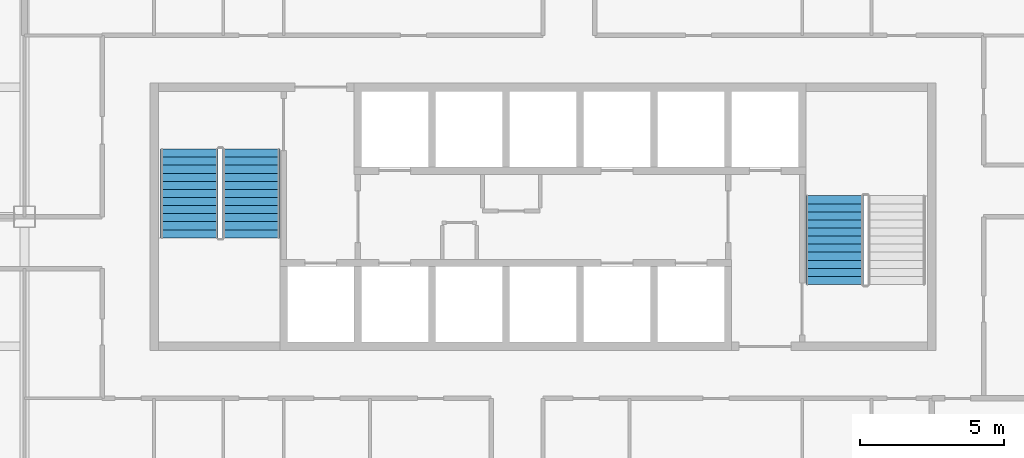
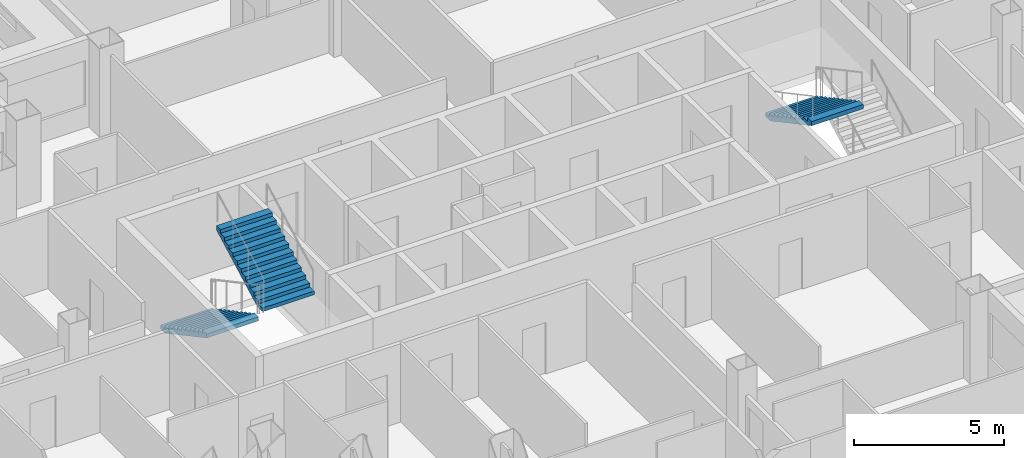
# One storey, part 11 of 15: 3 stair flights, 2 elements without a shape of their own.
"""IFC4 building model written with IfcOpenShell, lengths in metres."""

import ifcopenshell
import ifcopenshell.guid

model = None  # the IFC model being written
_history = None  # IfcOwnerHistory: only IFC2X3 demands one
_inside = {}  # id of a spatial element -> (the spatial element, [elements in it])
_under = {}  # id of a project, library or spatial element -> (it, [spatial elements below it])
_declared = {}  # id of a project -> (the project, [libraries it declares])
_typed = {}  # id of a type object -> (the type object, [elements of that type])
_made_of = {}  # id of a material, layer set ... -> (it, [elements and type objects made of it])


def new_model(schema):
    """Start an empty IFC model of exactly this schema.

    Asked for "IFC4X3", IfcOpenShell would pick the latest addendum, in which some entities
    have other attributes; the version numbers below select the first issue.
    IFC2X3 requires an IfcOwnerHistory on every rooted entity: one is made here for all.
    """
    global model, _history
    if schema == "IFC4X3":
        model = ifcopenshell.file(schema_version=(4, 3, 0, 0))
    else:
        model = ifcopenshell.file(schema=schema)
    _inside.clear()
    _under.clear()
    _declared.clear()
    _typed.clear()
    _made_of.clear()
    _history = None
    if model.schema == "IFC2X3":
        org = make("IfcOrganization", Name="unknown")
        user = make(
            "IfcPersonAndOrganization",
            ThePerson=make("IfcPerson", FamilyName="unknown"),
            TheOrganization=org,
        )
        app = make(
            "IfcApplication",
            ApplicationDeveloper=org,
            Version="unknown",
            ApplicationFullName="unknown",
            ApplicationIdentifier="unknown",
        )
        _history = make(
            "IfcOwnerHistory",
            OwningUser=user,
            OwningApplication=app,
            ChangeAction="ADDED",
            CreationDate=0,
        )
    return model


def make(cls, **values):
    """One entity of the class cls with the attributes given. An attribute that is None is left unset."""
    return model.create_entity(
        cls, **{name: value for name, value in values.items() if value is not None}
    )


def rooted(cls, **values):
    """An entity with a GlobalId (a new one), such as an element, a storey or a relation."""
    return make(cls, GlobalId=ifcopenshell.guid.new(), OwnerHistory=_history, **values)


def si_unit(unit_type, name, prefix=None):
    """IfcSIUnit, for example si_unit("LENGTHUNIT", "METRE", prefix="MILLI")."""
    return make("IfcSIUnit", UnitType=unit_type, Prefix=prefix, Name=name)


def assignment(units):
    """IfcUnitAssignment: the units of a project."""
    return None if units is None else make("IfcUnitAssignment", Units=units)


def point(xyz):
    """IfcCartesianPoint."""
    return None if xyz is None else make("IfcCartesianPoint", Coordinates=xyz)


def direction(xyz):
    """IfcDirection."""
    return None if xyz is None else make("IfcDirection", DirectionRatios=xyz)


def frame(location, z_axis=None, x_axis=None):
    """IfcAxis2Placement3D, a coordinate frame: its origin and axes. An axis left out is left unset."""
    return make(
        "IfcAxis2Placement3D",
        Location=point(location),
        Axis=direction(z_axis),
        RefDirection=direction(x_axis),
    )


def origin():
    """The frame at (0, 0, 0) with its axes left unset."""
    return frame((0.0, 0.0, 0.0))


def place(relative_to, where):
    """IfcLocalPlacement: puts the frame where relative to a parent placement (None: the world)."""
    return make(
        "IfcLocalPlacement", PlacementRelTo=relative_to, RelativePlacement=where
    )


def context(
    kind, dimensions, precision=None, world=None, true_north=None, identifier=None
):
    """IfcGeometricRepresentationContext, for example the 3D "Model" context."""
    return make(
        "IfcGeometricRepresentationContext",
        ContextIdentifier=identifier,
        ContextType=kind,
        CoordinateSpaceDimension=dimensions,
        Precision=precision,
        WorldCoordinateSystem=world,
        TrueNorth=true_north,
    )


def subcontext(parent, identifier, kind, view, scale=None):
    """IfcGeometricRepresentationSubContext, for example "Body" below "Model"."""
    return make(
        "IfcGeometricRepresentationSubContext",
        ContextIdentifier=identifier,
        ContextType=kind,
        ParentContext=parent,
        TargetScale=scale,
        TargetView=view,
    )


def project(units=None, contexts=None):
    """IfcProject with its units and contexts."""
    return rooted(
        "IfcProject",
        Name="project",
        RepresentationContexts=contexts,
        UnitsInContext=assignment(units),
    )


def spatial(cls, under=None, at=None, **own):
    """A site, building, storey or space (cls), placed at a placement, below another one or the project."""
    s = rooted(cls, ObjectPlacement=at, **own)
    if under is not None:
        _under.setdefault(under.id(), (under, []))[1].append(s)
    return s


def point_list(points):
    """IfcCartesianPointList2D or 3D."""
    cls = (
        "IfcCartesianPointList2D" if len(points[0]) == 2 else "IfcCartesianPointList3D"
    )
    return make(cls, CoordList=points)


def polygons(points, faces, closed=None, point_numbers=None):
    """IfcPolygonalFaceSet: a face is its outer loop, then its inner loops; points numbered from 1."""
    made = []
    for loops in faces:
        if len(loops) == 1:
            made.append(make("IfcIndexedPolygonalFace", CoordIndex=loops[0]))
        else:
            made.append(
                make(
                    "IfcIndexedPolygonalFaceWithVoids",
                    CoordIndex=loops[0],
                    InnerCoordIndices=loops[1:],
                )
            )
    return make(
        "IfcPolygonalFaceSet",
        Coordinates=point_list(points),
        Closed=closed,
        Faces=made,
        PnIndex=point_numbers,
    )


def shape(context_of_items, identifier, shape_type, items):
    """IfcShapeRepresentation: the items that make up one representation, for example the "Body"."""
    return make(
        "IfcShapeRepresentation",
        ContextOfItems=context_of_items,
        RepresentationIdentifier=identifier,
        RepresentationType=shape_type,
        Items=items,
    )


def material(Name=None, Category=None):
    """IfcMaterial."""
    return make("IfcMaterial", Name=Name, Category=Category)


def made_of(thing, what):
    """Note that an element or type object is made of a material, layer set ...; save() writes the relation."""
    if what is not None:
        _made_of.setdefault(what.id(), (what, []))[1].append(thing)
    return thing


def type_object(cls, material=None, **own):
    """A type object (cls), such as IfcWallType, which elements share."""
    return made_of(rooted(cls, **own), material)


def element(
    cls,
    number,
    at=None,
    inside=None,
    cuts=None,
    type_object=None,
    material=None,
    context=None,
    identifier="Body",
    shape_type=None,
    held_by="IfcProductDefinitionShape",
    body=None,
    shapes=None,
    **own,
):
    """One element of the class cls, such as IfcWall. Its Tag is "e" and its number.

    at: its placement. inside: the storey or other place that contains it. cuts: it is an
    opening in that element (IfcRelVoidsElement). A single representation is given by context,
    identifier, shape_type and body (its items); several are given by shapes. held_by: the class
    of the entity that holds the representations. save() writes the other relations.
    """
    e = rooted(cls, Tag="e%d" % number, ObjectPlacement=at, **own)
    if body is not None:
        shapes = [shape(context, identifier, shape_type, body)]
    if shapes is not None:
        e.Representation = make(held_by, Representations=shapes)
    if inside is not None:
        _inside.setdefault(inside.id(), (inside, []))[1].append(e)
    if cuts is not None:
        rooted(
            "IfcRelVoidsElement", RelatingBuildingElement=cuts, RelatedOpeningElement=e
        )
    if type_object is not None:
        _typed.setdefault(type_object.id(), (type_object, []))[1].append(e)
    return made_of(e, material)


def aggregate(whole, parts):
    """IfcRelAggregates: a whole, such as a stair, and the parts it consists of."""
    return rooted("IfcRelAggregates", RelatingObject=whole, RelatedObjects=parts)


def save(model, path):
    """Write the relations noted so far, then the file.

    IfcRelAggregates (storeys below a building ...), IfcRelContainedInSpatialStructure (elements
    in a storey), IfcRelDefinesByType, IfcRelAssociatesMaterial and IfcRelDeclares: one each for
    every whole, place, type object, material and project.
    """
    for whole, parts in _under.values():
        aggregate(whole, parts)
    for where, things in _inside.values():
        rooted(
            "IfcRelContainedInSpatialStructure",
            RelatedElements=things,
            RelatingStructure=where,
        )
    for kind, things in _typed.values():
        rooted("IfcRelDefinesByType", RelatedObjects=things, RelatingType=kind)
    for what, things in _made_of.values():
        rooted("IfcRelAssociatesMaterial", RelatedObjects=things, RelatingMaterial=what)
    for by, libraries in _declared.values():
        rooted("IfcRelDeclares", RelatingContext=by, RelatedDefinitions=libraries)
    model.write(path)


model = new_model("IFC4")

# Units and contexts
model_context = context("Model", 3, precision=1e-05, world=origin(), true_north=direction((0.0, 1.0)))
body_context = subcontext(model_context, "Body", "Model", "MODEL_VIEW")
ifc_project = project(units=[si_unit("LENGTHUNIT", "METRE"), si_unit("AREAUNIT", "SQUARE_METRE"), si_unit("VOLUMEUNIT", "CUBIC_METRE"), si_unit("PLANEANGLEUNIT", "RADIAN"), si_unit("MASSUNIT", "GRAM", prefix="KILO")], contexts=[model_context])

# Site, building, storey
site_placement = place(None, origin())
site = spatial("IfcSite", under=ifc_project, at=site_placement, CompositionType="ELEMENT")
building_placement = place(site_placement, origin())
building = spatial("IfcBuilding", under=site, at=building_placement, Name="Caravel Reach Hotel and Residences", CompositionType="ELEMENT")
storey_placement = place(building_placement, frame((0.0, 0.0, 92.39990234375)))
storey = spatial("IfcBuildingStorey", under=building, at=storey_placement, Name="L22", CompositionType="ELEMENT", Elevation=92.39990234375)

# Stair, stair flights
ifc_material_1 = material(Name="Concrete C40", Category="concrete")
stair_type = type_object("IfcStairType", Name="Core stair", PredefinedType="HALF_TURN_STAIR", material=ifc_material_1)
stair_1_placement = place(storey_placement, origin())
stair_1 = element("IfcStair", 1, at=stair_1_placement, inside=storey, type_object=stair_type, Name="L22 Exit stair A", PredefinedType="HALF_TURN_STAIR")
ifc_material_2 = material(Name="Concrete C40", Category="concrete")
stair_flight_type = type_object("IfcStairFlightType", Name="Core stair flight", PredefinedType="STRAIGHT", material=ifc_material_2)
stair_flight_1_placement = place(storey_placement, frame((19.22509765625, 29.35009765625, 0.0), z_axis=(0.0, 0.0, 1.0), x_axis=(0.0, -1.0, 0.0)))
stair_flight_1 = element("IfcStairFlight", 2, at=stair_flight_1_placement, type_object=stair_flight_type, Name="ST-A flight 1", NumberOfRisers=12, NumberOfTreads=11, PredefinedType="STRAIGHT", RiserHeight=0.15, TreadLength=0.28, context=body_context, shape_type="Tessellation", body=[
    polygons([(0.3174408016601862, 1.0, 0.0), (0.3174408016601862, 0.6666666666666667, 0.0), (0.3174408016601862, 0.33333333333333337, 0.0), (0.3174408016601862, 0.0, 0.0), (0.3174408016601862, -0.33333333333333326, 0.0), (0.3174408016601862, -0.6666666666666667, 0.0), (0.3174408016601862, -1.0, 0.0), (3.081, 1.0, 1.479942427682043), (3.081, 0.6666666666666667, 1.479942427682043), (3.081, 0.33333333333333337, 1.479942427682043), (3.081, 0.0, 1.479942427682043), (3.081, -0.33333333333333326, 1.479942427682043), (3.081, -0.6666666666666667, 1.479942427682043), (3.081, -1.0, 1.479942427682043), (3.081, 1.0, 1.65), (3.081, 0.6666666666666667, 1.65), (3.081, 0.33333333333333337, 1.65), (3.081, 0.0, 1.65), (3.081, -0.33333333333333326, 1.65), (3.081, -0.6666666666666667, 1.65), (3.081, -1.0, 1.65), (2.8000000000000003, 1.0, 1.65), (2.8000000000000003, 0.6666666666666667, 1.65), (2.8000000000000003, 0.33333333333333337, 1.65), (2.8000000000000003, 0.0, 1.65), (2.8000000000000003, -0.33333333333333326, 1.65), (2.8000000000000003, -0.6666666666666667, 1.65), (2.8000000000000003, -1.0, 1.65), (2.8000000000000003, 1.0, 1.5), (2.8000000000000003, 0.6666666666666667, 1.5), (2.8000000000000003, 0.33333333333333337, 1.5), (2.8000000000000003, 0.0, 1.5), (2.8000000000000003, -0.33333333333333326, 1.5), (2.8000000000000003, -0.6666666666666667, 1.5), (2.8000000000000003, -1.0, 1.5), (2.5200000000000005, 1.0, 1.5), (2.5200000000000005, 0.6666666666666667, 1.5), (2.5200000000000005, 0.33333333333333337, 1.5), (2.5200000000000005, 0.0, 1.5), (2.5200000000000005, -0.33333333333333326, 1.5), (2.5200000000000005, -0.6666666666666667, 1.5), (2.5200000000000005, -1.0, 1.5), (2.5200000000000005, 1.0, 1.3499999999999999), (2.5200000000000005, 0.6666666666666667, 1.3499999999999999), (2.5200000000000005, 0.33333333333333337, 1.3499999999999999), (2.5200000000000005, 0.0, 1.3499999999999999), (2.5200000000000005, -0.33333333333333326, 1.3499999999999999), (2.5200000000000005, -0.6666666666666667, 1.3499999999999999), (2.5200000000000005, -1.0, 1.3499999999999999), (2.24, 1.0, 1.3499999999999999), (2.24, 0.6666666666666667, 1.3499999999999999), (2.24, 0.33333333333333337, 1.3499999999999999), (2.24, 0.0, 1.3499999999999999), (2.24, -0.33333333333333326, 1.3499999999999999), (2.24, -0.6666666666666667, 1.3499999999999999), (2.24, -1.0, 1.3499999999999999), (2.24, 1.0, 1.2), (2.24, 0.6666666666666667, 1.2), (2.24, 0.33333333333333337, 1.2), (2.24, 0.0, 1.2), (2.24, -0.33333333333333326, 1.2), (2.24, -0.6666666666666667, 1.2), (2.24, -1.0, 1.2), (1.9600000000000002, 1.0, 1.2), (1.9600000000000002, 0.6666666666666667, 1.2), (1.9600000000000002, 0.33333333333333337, 1.2), (1.9600000000000002, 0.0, 1.2), (1.9600000000000002, -0.33333333333333326, 1.2), (1.9600000000000002, -0.6666666666666667, 1.2), (1.9600000000000002, -1.0, 1.2), (1.9600000000000002, 1.0, 1.05), (1.9600000000000002, 0.6666666666666667, 1.05), (1.9600000000000002, 0.33333333333333337, 1.05), (1.9600000000000002, 0.0, 1.05), (1.9600000000000002, -0.33333333333333326, 1.05), (1.9600000000000002, -0.6666666666666667, 1.05), (1.9600000000000002, -1.0, 1.05), (1.6800000000000002, 1.0, 1.05), (1.6800000000000002, 0.6666666666666667, 1.05), (1.6800000000000002, 0.33333333333333337, 1.05), (1.6800000000000002, 0.0, 1.05), (1.6800000000000002, -0.33333333333333326, 1.05), (1.6800000000000002, -0.6666666666666667, 1.05), (1.6800000000000002, -1.0, 1.05), (1.6800000000000002, 1.0, 0.8999999999999999), (1.6800000000000002, 0.6666666666666667, 0.8999999999999999), (1.6800000000000002, 0.33333333333333337, 0.8999999999999999), (1.6800000000000002, 0.0, 0.8999999999999999), (1.6800000000000002, -0.33333333333333326, 0.8999999999999999), (1.6800000000000002, -0.6666666666666667, 0.8999999999999999), (1.6800000000000002, -1.0, 0.8999999999999999), (1.4000000000000001, 1.0, 0.8999999999999999), (1.4000000000000001, 0.6666666666666667, 0.8999999999999999), (1.4000000000000001, 0.33333333333333337, 0.8999999999999999), (1.4000000000000001, 0.0, 0.8999999999999999), (1.4000000000000001, -0.33333333333333326, 0.8999999999999999), (1.4000000000000001, -0.6666666666666667, 0.8999999999999999), (1.4000000000000001, -1.0, 0.8999999999999999), (1.4000000000000001, 1.0, 0.75), (1.4000000000000001, 0.6666666666666667, 0.75), (1.4000000000000001, 0.33333333333333337, 0.75), (1.4000000000000001, 0.0, 0.75), (1.4000000000000001, -0.33333333333333326, 0.75), (1.4000000000000001, -0.6666666666666667, 0.75), (1.4000000000000001, -1.0, 0.75), (1.12, 1.0, 0.75), (1.12, 0.6666666666666667, 0.75), (1.12, 0.33333333333333337, 0.75), (1.12, 0.0, 0.75), (1.12, -0.33333333333333326, 0.75), (1.12, -0.6666666666666667, 0.75), (1.12, -1.0, 0.75), (1.12, 1.0, 0.6), (1.12, 0.6666666666666667, 0.6), (1.12, 0.33333333333333337, 0.6), (1.12, 0.0, 0.6), (1.12, -0.33333333333333326, 0.6), (1.12, -0.6666666666666667, 0.6), (1.12, -1.0, 0.6), (0.8400000000000001, 1.0, 0.6), (0.8400000000000001, 0.6666666666666667, 0.6), (0.8400000000000001, 0.33333333333333337, 0.6), (0.8400000000000001, 0.0, 0.6), (0.8400000000000001, -0.33333333333333326, 0.6), (0.8400000000000001, -0.6666666666666667, 0.6), (0.8400000000000001, -1.0, 0.6), (0.8400000000000001, 1.0, 0.44999999999999996), (0.8400000000000001, 0.6666666666666667, 0.44999999999999996), (0.8400000000000001, 0.33333333333333337, 0.44999999999999996), (0.8400000000000001, 0.0, 0.44999999999999996), (0.8400000000000001, -0.33333333333333326, 0.44999999999999996), (0.8400000000000001, -0.6666666666666667, 0.44999999999999996), (0.8400000000000001, -1.0, 0.44999999999999996), (0.56, 1.0, 0.44999999999999996), (0.56, 0.6666666666666667, 0.44999999999999996), (0.56, 0.33333333333333337, 0.44999999999999996), (0.56, 0.0, 0.44999999999999996), (0.56, -0.33333333333333326, 0.44999999999999996), (0.56, -0.6666666666666667, 0.44999999999999996), (0.56, -1.0, 0.44999999999999996), (0.56, 1.0, 0.3), (0.56, 0.6666666666666667, 0.3), (0.56, 0.33333333333333337, 0.3), (0.56, 0.0, 0.3), (0.56, -0.33333333333333326, 0.3), (0.56, -0.6666666666666667, 0.3), (0.56, -1.0, 0.3), (0.28, 1.0, 0.3), (0.28, 0.6666666666666667, 0.3), (0.28, 0.33333333333333337, 0.3), (0.28, 0.0, 0.3), (0.28, -0.33333333333333326, 0.3), (0.28, -0.6666666666666667, 0.3), (0.28, -1.0, 0.3), (0.28, 1.0, 0.15), (0.28, 0.6666666666666667, 0.15), (0.28, 0.33333333333333337, 0.15), (0.28, 0.0, 0.15), (0.28, -0.33333333333333326, 0.15), (0.28, -0.6666666666666667, 0.15), (0.28, -1.0, 0.15), (-0.001, 1.0, 0.15), (-0.001, 0.6666666666666667, 0.15), (-0.001, 0.33333333333333337, 0.15), (-0.001, 0.0, 0.15), (-0.001, -0.33333333333333326, 0.15), (-0.001, -0.6666666666666667, 0.15), (-0.001, -1.0, 0.15), (-0.001, 1.0, 0.0), (-0.001, 0.6666666666666667, 0.0), (-0.001, 0.33333333333333337, 0.0), (-0.001, 0.0, 0.0), (-0.001, -0.33333333333333326, 0.0), (-0.001, -0.6666666666666667, 0.0), (-0.001, -1.0, 0.0)], [[[169, 162, 155, 148, 141, 134, 127, 120, 113, 106, 99, 92, 85, 78, 71, 64, 57, 50, 43, 36, 29, 22, 15, 8, 1]], [[7, 14, 21, 28, 35, 42, 49, 56, 63, 70, 77, 84, 91, 98, 105, 112, 119, 126, 133, 140, 147, 154, 161, 168, 175]], [[1, 8, 9, 2]], [[2, 9, 10, 3]], [[3, 10, 11, 4]], [[4, 11, 12, 5]], [[5, 12, 13, 6]], [[6, 13, 14, 7]], [[8, 15, 16, 9]], [[9, 16, 17, 10]], [[10, 17, 18, 11]], [[11, 18, 19, 12]], [[12, 19, 20, 13]], [[13, 20, 21, 14]], [[15, 22, 23, 16]], [[16, 23, 24, 17]], [[17, 24, 25, 18]], [[18, 25, 26, 19]], [[19, 26, 27, 20]], [[20, 27, 28, 21]], [[22, 29, 30, 23]], [[23, 30, 31, 24]], [[24, 31, 32, 25]], [[25, 32, 33, 26]], [[26, 33, 34, 27]], [[27, 34, 35, 28]], [[29, 36, 37, 30]], [[30, 37, 38, 31]], [[31, 38, 39, 32]], [[32, 39, 40, 33]], [[33, 40, 41, 34]], [[34, 41, 42, 35]], [[36, 43, 44, 37]], [[37, 44, 45, 38]], [[38, 45, 46, 39]], [[39, 46, 47, 40]], [[40, 47, 48, 41]], [[41, 48, 49, 42]], [[43, 50, 51, 44]], [[44, 51, 52, 45]], [[45, 52, 53, 46]], [[46, 53, 54, 47]], [[47, 54, 55, 48]], [[48, 55, 56, 49]], [[50, 57, 58, 51]], [[51, 58, 59, 52]], [[52, 59, 60, 53]], [[53, 60, 61, 54]], [[54, 61, 62, 55]], [[55, 62, 63, 56]], [[57, 64, 65, 58]], [[58, 65, 66, 59]], [[59, 66, 67, 60]], [[60, 67, 68, 61]], [[61, 68, 69, 62]], [[62, 69, 70, 63]], [[64, 71, 72, 65]], [[65, 72, 73, 66]], [[66, 73, 74, 67]], [[67, 74, 75, 68]], [[68, 75, 76, 69]], [[69, 76, 77, 70]], [[71, 78, 79, 72]], [[72, 79, 80, 73]], [[73, 80, 81, 74]], [[74, 81, 82, 75]], [[75, 82, 83, 76]], [[76, 83, 84, 77]], [[78, 85, 86, 79]], [[79, 86, 87, 80]], [[80, 87, 88, 81]], [[81, 88, 89, 82]], [[82, 89, 90, 83]], [[83, 90, 91, 84]], [[85, 92, 93, 86]], [[86, 93, 94, 87]], [[87, 94, 95, 88]], [[88, 95, 96, 89]], [[89, 96, 97, 90]], [[90, 97, 98, 91]], [[92, 99, 100, 93]], [[93, 100, 101, 94]], [[94, 101, 102, 95]], [[95, 102, 103, 96]], [[96, 103, 104, 97]], [[97, 104, 105, 98]], [[99, 106, 107, 100]], [[100, 107, 108, 101]], [[101, 108, 109, 102]], [[102, 109, 110, 103]], [[103, 110, 111, 104]], [[104, 111, 112, 105]], [[106, 113, 114, 107]], [[107, 114, 115, 108]], [[108, 115, 116, 109]], [[109, 116, 117, 110]], [[110, 117, 118, 111]], [[111, 118, 119, 112]], [[113, 120, 121, 114]], [[114, 121, 122, 115]], [[115, 122, 123, 116]], [[116, 123, 124, 117]], [[117, 124, 125, 118]], [[118, 125, 126, 119]], [[120, 127, 128, 121]], [[121, 128, 129, 122]], [[122, 129, 130, 123]], [[123, 130, 131, 124]], [[124, 131, 132, 125]], [[125, 132, 133, 126]], [[127, 134, 135, 128]], [[128, 135, 136, 129]], [[129, 136, 137, 130]], [[130, 137, 138, 131]], [[131, 138, 139, 132]], [[132, 139, 140, 133]], [[134, 141, 142, 135]], [[135, 142, 143, 136]], [[136, 143, 144, 137]], [[137, 144, 145, 138]], [[138, 145, 146, 139]], [[139, 146, 147, 140]], [[141, 148, 149, 142]], [[142, 149, 150, 143]], [[143, 150, 151, 144]], [[144, 151, 152, 145]], [[145, 152, 153, 146]], [[146, 153, 154, 147]], [[148, 155, 156, 149]], [[149, 156, 157, 150]], [[150, 157, 158, 151]], [[151, 158, 159, 152]], [[152, 159, 160, 153]], [[153, 160, 161, 154]], [[155, 162, 163, 156]], [[156, 163, 164, 157]], [[157, 164, 165, 158]], [[158, 165, 166, 159]], [[159, 166, 167, 160]], [[160, 167, 168, 161]], [[162, 169, 170, 163]], [[163, 170, 171, 164]], [[164, 171, 172, 165]], [[165, 172, 173, 166]], [[166, 173, 174, 167]], [[167, 174, 175, 168]], [[169, 1, 2, 170]], [[170, 2, 3, 171]], [[171, 3, 4, 172]], [[172, 4, 5, 173]], [[173, 5, 6, 174]], [[174, 6, 7, 175]]], closed=True),
])
stair_flight_2_placement = place(storey_placement, frame((21.375, 26.27001953125, 1.800048828125), z_axis=(0.0, 0.0, 1.0), x_axis=(0.0, 1.0, 0.0)))
stair_flight_2 = element("IfcStairFlight", 3, at=stair_flight_2_placement, type_object=stair_flight_type, Name="ST-A flight 2", NumberOfRisers=12, NumberOfTreads=11, PredefinedType="STRAIGHT", RiserHeight=0.15, TreadLength=0.28, context=body_context, shape_type="Tessellation", body=[
    polygons([(0.3174408016601862, 1.0, 0.0), (0.3174408016601862, 0.6666666666666667, 0.0), (0.3174408016601862, 0.33333333333333337, 0.0), (0.3174408016601862, 0.0, 0.0), (0.3174408016601862, -0.33333333333333326, 0.0), (0.3174408016601862, -0.6666666666666667, 0.0), (0.3174408016601862, -1.0, 0.0), (3.081, 1.0, 1.479942427682043), (3.081, 0.6666666666666667, 1.479942427682043), (3.081, 0.33333333333333337, 1.479942427682043), (3.081, 0.0, 1.479942427682043), (3.081, -0.33333333333333326, 1.479942427682043), (3.081, -0.6666666666666667, 1.479942427682043), (3.081, -1.0, 1.479942427682043), (3.081, 1.0, 1.65), (3.081, 0.6666666666666667, 1.65), (3.081, 0.33333333333333337, 1.65), (3.081, 0.0, 1.65), (3.081, -0.33333333333333326, 1.65), (3.081, -0.6666666666666667, 1.65), (3.081, -1.0, 1.65), (2.8000000000000003, 1.0, 1.65), (2.8000000000000003, 0.6666666666666667, 1.65), (2.8000000000000003, 0.33333333333333337, 1.65), (2.8000000000000003, 0.0, 1.65), (2.8000000000000003, -0.33333333333333326, 1.65), (2.8000000000000003, -0.6666666666666667, 1.65), (2.8000000000000003, -1.0, 1.65), (2.8000000000000003, 1.0, 1.5), (2.8000000000000003, 0.6666666666666667, 1.5), (2.8000000000000003, 0.33333333333333337, 1.5), (2.8000000000000003, 0.0, 1.5), (2.8000000000000003, -0.33333333333333326, 1.5), (2.8000000000000003, -0.6666666666666667, 1.5), (2.8000000000000003, -1.0, 1.5), (2.5200000000000005, 1.0, 1.5), (2.5200000000000005, 0.6666666666666667, 1.5), (2.5200000000000005, 0.33333333333333337, 1.5), (2.5200000000000005, 0.0, 1.5), (2.5200000000000005, -0.33333333333333326, 1.5), (2.5200000000000005, -0.6666666666666667, 1.5), (2.5200000000000005, -1.0, 1.5), (2.5200000000000005, 1.0, 1.3499999999999999), (2.5200000000000005, 0.6666666666666667, 1.3499999999999999), (2.5200000000000005, 0.33333333333333337, 1.3499999999999999), (2.5200000000000005, 0.0, 1.3499999999999999), (2.5200000000000005, -0.33333333333333326, 1.3499999999999999), (2.5200000000000005, -0.6666666666666667, 1.3499999999999999), (2.5200000000000005, -1.0, 1.3499999999999999), (2.24, 1.0, 1.3499999999999999), (2.24, 0.6666666666666667, 1.3499999999999999), (2.24, 0.33333333333333337, 1.3499999999999999), (2.24, 0.0, 1.3499999999999999), (2.24, -0.33333333333333326, 1.3499999999999999), (2.24, -0.6666666666666667, 1.3499999999999999), (2.24, -1.0, 1.3499999999999999), (2.24, 1.0, 1.2), (2.24, 0.6666666666666667, 1.2), (2.24, 0.33333333333333337, 1.2), (2.24, 0.0, 1.2), (2.24, -0.33333333333333326, 1.2), (2.24, -0.6666666666666667, 1.2), (2.24, -1.0, 1.2), (1.9600000000000002, 1.0, 1.2), (1.9600000000000002, 0.6666666666666667, 1.2), (1.9600000000000002, 0.33333333333333337, 1.2), (1.9600000000000002, 0.0, 1.2), (1.9600000000000002, -0.33333333333333326, 1.2), (1.9600000000000002, -0.6666666666666667, 1.2), (1.9600000000000002, -1.0, 1.2), (1.9600000000000002, 1.0, 1.05), (1.9600000000000002, 0.6666666666666667, 1.05), (1.9600000000000002, 0.33333333333333337, 1.05), (1.9600000000000002, 0.0, 1.05), (1.9600000000000002, -0.33333333333333326, 1.05), (1.9600000000000002, -0.6666666666666667, 1.05), (1.9600000000000002, -1.0, 1.05), (1.6800000000000002, 1.0, 1.05), (1.6800000000000002, 0.6666666666666667, 1.05), (1.6800000000000002, 0.33333333333333337, 1.05), (1.6800000000000002, 0.0, 1.05), (1.6800000000000002, -0.33333333333333326, 1.05), (1.6800000000000002, -0.6666666666666667, 1.05), (1.6800000000000002, -1.0, 1.05), (1.6800000000000002, 1.0, 0.8999999999999999), (1.6800000000000002, 0.6666666666666667, 0.8999999999999999), (1.6800000000000002, 0.33333333333333337, 0.8999999999999999), (1.6800000000000002, 0.0, 0.8999999999999999), (1.6800000000000002, -0.33333333333333326, 0.8999999999999999), (1.6800000000000002, -0.6666666666666667, 0.8999999999999999), (1.6800000000000002, -1.0, 0.8999999999999999), (1.4000000000000001, 1.0, 0.8999999999999999), (1.4000000000000001, 0.6666666666666667, 0.8999999999999999), (1.4000000000000001, 0.33333333333333337, 0.8999999999999999), (1.4000000000000001, 0.0, 0.8999999999999999), (1.4000000000000001, -0.33333333333333326, 0.8999999999999999), (1.4000000000000001, -0.6666666666666667, 0.8999999999999999), (1.4000000000000001, -1.0, 0.8999999999999999), (1.4000000000000001, 1.0, 0.75), (1.4000000000000001, 0.6666666666666667, 0.75), (1.4000000000000001, 0.33333333333333337, 0.75), (1.4000000000000001, 0.0, 0.75), (1.4000000000000001, -0.33333333333333326, 0.75), (1.4000000000000001, -0.6666666666666667, 0.75), (1.4000000000000001, -1.0, 0.75), (1.12, 1.0, 0.75), (1.12, 0.6666666666666667, 0.75), (1.12, 0.33333333333333337, 0.75), (1.12, 0.0, 0.75), (1.12, -0.33333333333333326, 0.75), (1.12, -0.6666666666666667, 0.75), (1.12, -1.0, 0.75), (1.12, 1.0, 0.6), (1.12, 0.6666666666666667, 0.6), (1.12, 0.33333333333333337, 0.6), (1.12, 0.0, 0.6), (1.12, -0.33333333333333326, 0.6), (1.12, -0.6666666666666667, 0.6), (1.12, -1.0, 0.6), (0.8400000000000001, 1.0, 0.6), (0.8400000000000001, 0.6666666666666667, 0.6), (0.8400000000000001, 0.33333333333333337, 0.6), (0.8400000000000001, 0.0, 0.6), (0.8400000000000001, -0.33333333333333326, 0.6), (0.8400000000000001, -0.6666666666666667, 0.6), (0.8400000000000001, -1.0, 0.6), (0.8400000000000001, 1.0, 0.44999999999999996), (0.8400000000000001, 0.6666666666666667, 0.44999999999999996), (0.8400000000000001, 0.33333333333333337, 0.44999999999999996), (0.8400000000000001, 0.0, 0.44999999999999996), (0.8400000000000001, -0.33333333333333326, 0.44999999999999996), (0.8400000000000001, -0.6666666666666667, 0.44999999999999996), (0.8400000000000001, -1.0, 0.44999999999999996), (0.56, 1.0, 0.44999999999999996), (0.56, 0.6666666666666667, 0.44999999999999996), (0.56, 0.33333333333333337, 0.44999999999999996), (0.56, 0.0, 0.44999999999999996), (0.56, -0.33333333333333326, 0.44999999999999996), (0.56, -0.6666666666666667, 0.44999999999999996), (0.56, -1.0, 0.44999999999999996), (0.56, 1.0, 0.3), (0.56, 0.6666666666666667, 0.3), (0.56, 0.33333333333333337, 0.3), (0.56, 0.0, 0.3), (0.56, -0.33333333333333326, 0.3), (0.56, -0.6666666666666667, 0.3), (0.56, -1.0, 0.3), (0.28, 1.0, 0.3), (0.28, 0.6666666666666667, 0.3), (0.28, 0.33333333333333337, 0.3), (0.28, 0.0, 0.3), (0.28, -0.33333333333333326, 0.3), (0.28, -0.6666666666666667, 0.3), (0.28, -1.0, 0.3), (0.28, 1.0, 0.15), (0.28, 0.6666666666666667, 0.15), (0.28, 0.33333333333333337, 0.15), (0.28, 0.0, 0.15), (0.28, -0.33333333333333326, 0.15), (0.28, -0.6666666666666667, 0.15), (0.28, -1.0, 0.15), (-0.001, 1.0, 0.15), (-0.001, 0.6666666666666667, 0.15), (-0.001, 0.33333333333333337, 0.15), (-0.001, 0.0, 0.15), (-0.001, -0.33333333333333326, 0.15), (-0.001, -0.6666666666666667, 0.15), (-0.001, -1.0, 0.15), (-0.001, 1.0, 0.0), (-0.001, 0.6666666666666667, 0.0), (-0.001, 0.33333333333333337, 0.0), (-0.001, 0.0, 0.0), (-0.001, -0.33333333333333326, 0.0), (-0.001, -0.6666666666666667, 0.0), (-0.001, -1.0, 0.0)], [[[169, 162, 155, 148, 141, 134, 127, 120, 113, 106, 99, 92, 85, 78, 71, 64, 57, 50, 43, 36, 29, 22, 15, 8, 1]], [[7, 14, 21, 28, 35, 42, 49, 56, 63, 70, 77, 84, 91, 98, 105, 112, 119, 126, 133, 140, 147, 154, 161, 168, 175]], [[1, 8, 9, 2]], [[2, 9, 10, 3]], [[3, 10, 11, 4]], [[4, 11, 12, 5]], [[5, 12, 13, 6]], [[6, 13, 14, 7]], [[8, 15, 16, 9]], [[9, 16, 17, 10]], [[10, 17, 18, 11]], [[11, 18, 19, 12]], [[12, 19, 20, 13]], [[13, 20, 21, 14]], [[15, 22, 23, 16]], [[16, 23, 24, 17]], [[17, 24, 25, 18]], [[18, 25, 26, 19]], [[19, 26, 27, 20]], [[20, 27, 28, 21]], [[22, 29, 30, 23]], [[23, 30, 31, 24]], [[24, 31, 32, 25]], [[25, 32, 33, 26]], [[26, 33, 34, 27]], [[27, 34, 35, 28]], [[29, 36, 37, 30]], [[30, 37, 38, 31]], [[31, 38, 39, 32]], [[32, 39, 40, 33]], [[33, 40, 41, 34]], [[34, 41, 42, 35]], [[36, 43, 44, 37]], [[37, 44, 45, 38]], [[38, 45, 46, 39]], [[39, 46, 47, 40]], [[40, 47, 48, 41]], [[41, 48, 49, 42]], [[43, 50, 51, 44]], [[44, 51, 52, 45]], [[45, 52, 53, 46]], [[46, 53, 54, 47]], [[47, 54, 55, 48]], [[48, 55, 56, 49]], [[50, 57, 58, 51]], [[51, 58, 59, 52]], [[52, 59, 60, 53]], [[53, 60, 61, 54]], [[54, 61, 62, 55]], [[55, 62, 63, 56]], [[57, 64, 65, 58]], [[58, 65, 66, 59]], [[59, 66, 67, 60]], [[60, 67, 68, 61]], [[61, 68, 69, 62]], [[62, 69, 70, 63]], [[64, 71, 72, 65]], [[65, 72, 73, 66]], [[66, 73, 74, 67]], [[67, 74, 75, 68]], [[68, 75, 76, 69]], [[69, 76, 77, 70]], [[71, 78, 79, 72]], [[72, 79, 80, 73]], [[73, 80, 81, 74]], [[74, 81, 82, 75]], [[75, 82, 83, 76]], [[76, 83, 84, 77]], [[78, 85, 86, 79]], [[79, 86, 87, 80]], [[80, 87, 88, 81]], [[81, 88, 89, 82]], [[82, 89, 90, 83]], [[83, 90, 91, 84]], [[85, 92, 93, 86]], [[86, 93, 94, 87]], [[87, 94, 95, 88]], [[88, 95, 96, 89]], [[89, 96, 97, 90]], [[90, 97, 98, 91]], [[92, 99, 100, 93]], [[93, 100, 101, 94]], [[94, 101, 102, 95]], [[95, 102, 103, 96]], [[96, 103, 104, 97]], [[97, 104, 105, 98]], [[99, 106, 107, 100]], [[100, 107, 108, 101]], [[101, 108, 109, 102]], [[102, 109, 110, 103]], [[103, 110, 111, 104]], [[104, 111, 112, 105]], [[106, 113, 114, 107]], [[107, 114, 115, 108]], [[108, 115, 116, 109]], [[109, 116, 117, 110]], [[110, 117, 118, 111]], [[111, 118, 119, 112]], [[113, 120, 121, 114]], [[114, 121, 122, 115]], [[115, 122, 123, 116]], [[116, 123, 124, 117]], [[117, 124, 125, 118]], [[118, 125, 126, 119]], [[120, 127, 128, 121]], [[121, 128, 129, 122]], [[122, 129, 130, 123]], [[123, 130, 131, 124]], [[124, 131, 132, 125]], [[125, 132, 133, 126]], [[127, 134, 135, 128]], [[128, 135, 136, 129]], [[129, 136, 137, 130]], [[130, 137, 138, 131]], [[131, 138, 139, 132]], [[132, 139, 140, 133]], [[134, 141, 142, 135]], [[135, 142, 143, 136]], [[136, 143, 144, 137]], [[137, 144, 145, 138]], [[138, 145, 146, 139]], [[139, 146, 147, 140]], [[141, 148, 149, 142]], [[142, 149, 150, 143]], [[143, 150, 151, 144]], [[144, 151, 152, 145]], [[145, 152, 153, 146]], [[146, 153, 154, 147]], [[148, 155, 156, 149]], [[149, 156, 157, 150]], [[150, 157, 158, 151]], [[151, 158, 159, 152]], [[152, 159, 160, 153]], [[153, 160, 161, 154]], [[155, 162, 163, 156]], [[156, 163, 164, 157]], [[157, 164, 165, 158]], [[158, 165, 166, 159]], [[159, 166, 167, 160]], [[160, 167, 168, 161]], [[162, 169, 170, 163]], [[163, 170, 171, 164]], [[164, 171, 172, 165]], [[165, 172, 173, 166]], [[166, 173, 174, 167]], [[167, 174, 175, 168]], [[169, 1, 2, 170]], [[170, 2, 3, 171]], [[171, 3, 4, 172]], [[172, 4, 5, 173]], [[173, 5, 6, 174]], [[174, 6, 7, 175]]], closed=True),
])
aggregate(stair_1, [stair_flight_1, stair_flight_2])

# Stair, stair flight
stair_2_placement = place(storey_placement, origin())
stair_2 = element("IfcStair", 4, at=stair_2_placement, inside=storey, type_object=stair_type, Name="L22 Exit stair B", PredefinedType="HALF_TURN_STAIR")
stair_flight_3_placement = place(storey_placement, frame((41.625, 27.72998046875, 1.800048828125), z_axis=(0.0, 0.0, 1.0), x_axis=(0.0, -1.0, 0.0)))
stair_flight_3 = element("IfcStairFlight", 5, at=stair_flight_3_placement, type_object=stair_flight_type, Name="ST-B flight 2", NumberOfRisers=12, NumberOfTreads=11, PredefinedType="STRAIGHT", RiserHeight=0.15, TreadLength=0.28, context=body_context, shape_type="Tessellation", body=[
    polygons([(0.3174408016601862, 1.0, 0.0), (0.3174408016601862, 0.6666666666666667, 0.0), (0.3174408016601862, 0.33333333333333337, 0.0), (0.3174408016601862, 0.0, 0.0), (0.3174408016601862, -0.33333333333333326, 0.0), (0.3174408016601862, -0.6666666666666667, 0.0), (0.3174408016601862, -1.0, 0.0), (3.081, 1.0, 1.479942427682043), (3.081, 0.6666666666666667, 1.479942427682043), (3.081, 0.33333333333333337, 1.479942427682043), (3.081, 0.0, 1.479942427682043), (3.081, -0.33333333333333326, 1.479942427682043), (3.081, -0.6666666666666667, 1.479942427682043), (3.081, -1.0, 1.479942427682043), (3.081, 1.0, 1.65), (3.081, 0.6666666666666667, 1.65), (3.081, 0.33333333333333337, 1.65), (3.081, 0.0, 1.65), (3.081, -0.33333333333333326, 1.65), (3.081, -0.6666666666666667, 1.65), (3.081, -1.0, 1.65), (2.8000000000000003, 1.0, 1.65), (2.8000000000000003, 0.6666666666666667, 1.65), (2.8000000000000003, 0.33333333333333337, 1.65), (2.8000000000000003, 0.0, 1.65), (2.8000000000000003, -0.33333333333333326, 1.65), (2.8000000000000003, -0.6666666666666667, 1.65), (2.8000000000000003, -1.0, 1.65), (2.8000000000000003, 1.0, 1.5), (2.8000000000000003, 0.6666666666666667, 1.5), (2.8000000000000003, 0.33333333333333337, 1.5), (2.8000000000000003, 0.0, 1.5), (2.8000000000000003, -0.33333333333333326, 1.5), (2.8000000000000003, -0.6666666666666667, 1.5), (2.8000000000000003, -1.0, 1.5), (2.5200000000000005, 1.0, 1.5), (2.5200000000000005, 0.6666666666666667, 1.5), (2.5200000000000005, 0.33333333333333337, 1.5), (2.5200000000000005, 0.0, 1.5), (2.5200000000000005, -0.33333333333333326, 1.5), (2.5200000000000005, -0.6666666666666667, 1.5), (2.5200000000000005, -1.0, 1.5), (2.5200000000000005, 1.0, 1.3499999999999999), (2.5200000000000005, 0.6666666666666667, 1.3499999999999999), (2.5200000000000005, 0.33333333333333337, 1.3499999999999999), (2.5200000000000005, 0.0, 1.3499999999999999), (2.5200000000000005, -0.33333333333333326, 1.3499999999999999), (2.5200000000000005, -0.6666666666666667, 1.3499999999999999), (2.5200000000000005, -1.0, 1.3499999999999999), (2.24, 1.0, 1.3499999999999999), (2.24, 0.6666666666666667, 1.3499999999999999), (2.24, 0.33333333333333337, 1.3499999999999999), (2.24, 0.0, 1.3499999999999999), (2.24, -0.33333333333333326, 1.3499999999999999), (2.24, -0.6666666666666667, 1.3499999999999999), (2.24, -1.0, 1.3499999999999999), (2.24, 1.0, 1.2), (2.24, 0.6666666666666667, 1.2), (2.24, 0.33333333333333337, 1.2), (2.24, 0.0, 1.2), (2.24, -0.33333333333333326, 1.2), (2.24, -0.6666666666666667, 1.2), (2.24, -1.0, 1.2), (1.9600000000000002, 1.0, 1.2), (1.9600000000000002, 0.6666666666666667, 1.2), (1.9600000000000002, 0.33333333333333337, 1.2), (1.9600000000000002, 0.0, 1.2), (1.9600000000000002, -0.33333333333333326, 1.2), (1.9600000000000002, -0.6666666666666667, 1.2), (1.9600000000000002, -1.0, 1.2), (1.9600000000000002, 1.0, 1.05), (1.9600000000000002, 0.6666666666666667, 1.05), (1.9600000000000002, 0.33333333333333337, 1.05), (1.9600000000000002, 0.0, 1.05), (1.9600000000000002, -0.33333333333333326, 1.05), (1.9600000000000002, -0.6666666666666667, 1.05), (1.9600000000000002, -1.0, 1.05), (1.6800000000000002, 1.0, 1.05), (1.6800000000000002, 0.6666666666666667, 1.05), (1.6800000000000002, 0.33333333333333337, 1.05), (1.6800000000000002, 0.0, 1.05), (1.6800000000000002, -0.33333333333333326, 1.05), (1.6800000000000002, -0.6666666666666667, 1.05), (1.6800000000000002, -1.0, 1.05), (1.6800000000000002, 1.0, 0.8999999999999999), (1.6800000000000002, 0.6666666666666667, 0.8999999999999999), (1.6800000000000002, 0.33333333333333337, 0.8999999999999999), (1.6800000000000002, 0.0, 0.8999999999999999), (1.6800000000000002, -0.33333333333333326, 0.8999999999999999), (1.6800000000000002, -0.6666666666666667, 0.8999999999999999), (1.6800000000000002, -1.0, 0.8999999999999999), (1.4000000000000001, 1.0, 0.8999999999999999), (1.4000000000000001, 0.6666666666666667, 0.8999999999999999), (1.4000000000000001, 0.33333333333333337, 0.8999999999999999), (1.4000000000000001, 0.0, 0.8999999999999999), (1.4000000000000001, -0.33333333333333326, 0.8999999999999999), (1.4000000000000001, -0.6666666666666667, 0.8999999999999999), (1.4000000000000001, -1.0, 0.8999999999999999), (1.4000000000000001, 1.0, 0.75), (1.4000000000000001, 0.6666666666666667, 0.75), (1.4000000000000001, 0.33333333333333337, 0.75), (1.4000000000000001, 0.0, 0.75), (1.4000000000000001, -0.33333333333333326, 0.75), (1.4000000000000001, -0.6666666666666667, 0.75), (1.4000000000000001, -1.0, 0.75), (1.12, 1.0, 0.75), (1.12, 0.6666666666666667, 0.75), (1.12, 0.33333333333333337, 0.75), (1.12, 0.0, 0.75), (1.12, -0.33333333333333326, 0.75), (1.12, -0.6666666666666667, 0.75), (1.12, -1.0, 0.75), (1.12, 1.0, 0.6), (1.12, 0.6666666666666667, 0.6), (1.12, 0.33333333333333337, 0.6), (1.12, 0.0, 0.6), (1.12, -0.33333333333333326, 0.6), (1.12, -0.6666666666666667, 0.6), (1.12, -1.0, 0.6), (0.8400000000000001, 1.0, 0.6), (0.8400000000000001, 0.6666666666666667, 0.6), (0.8400000000000001, 0.33333333333333337, 0.6), (0.8400000000000001, 0.0, 0.6), (0.8400000000000001, -0.33333333333333326, 0.6), (0.8400000000000001, -0.6666666666666667, 0.6), (0.8400000000000001, -1.0, 0.6), (0.8400000000000001, 1.0, 0.44999999999999996), (0.8400000000000001, 0.6666666666666667, 0.44999999999999996), (0.8400000000000001, 0.33333333333333337, 0.44999999999999996), (0.8400000000000001, 0.0, 0.44999999999999996), (0.8400000000000001, -0.33333333333333326, 0.44999999999999996), (0.8400000000000001, -0.6666666666666667, 0.44999999999999996), (0.8400000000000001, -1.0, 0.44999999999999996), (0.56, 1.0, 0.44999999999999996), (0.56, 0.6666666666666667, 0.44999999999999996), (0.56, 0.33333333333333337, 0.44999999999999996), (0.56, 0.0, 0.44999999999999996), (0.56, -0.33333333333333326, 0.44999999999999996), (0.56, -0.6666666666666667, 0.44999999999999996), (0.56, -1.0, 0.44999999999999996), (0.56, 1.0, 0.3), (0.56, 0.6666666666666667, 0.3), (0.56, 0.33333333333333337, 0.3), (0.56, 0.0, 0.3), (0.56, -0.33333333333333326, 0.3), (0.56, -0.6666666666666667, 0.3), (0.56, -1.0, 0.3), (0.28, 1.0, 0.3), (0.28, 0.6666666666666667, 0.3), (0.28, 0.33333333333333337, 0.3), (0.28, 0.0, 0.3), (0.28, -0.33333333333333326, 0.3), (0.28, -0.6666666666666667, 0.3), (0.28, -1.0, 0.3), (0.28, 1.0, 0.15), (0.28, 0.6666666666666667, 0.15), (0.28, 0.33333333333333337, 0.15), (0.28, 0.0, 0.15), (0.28, -0.33333333333333326, 0.15), (0.28, -0.6666666666666667, 0.15), (0.28, -1.0, 0.15), (-0.001, 1.0, 0.15), (-0.001, 0.6666666666666667, 0.15), (-0.001, 0.33333333333333337, 0.15), (-0.001, 0.0, 0.15), (-0.001, -0.33333333333333326, 0.15), (-0.001, -0.6666666666666667, 0.15), (-0.001, -1.0, 0.15), (-0.001, 1.0, 0.0), (-0.001, 0.6666666666666667, 0.0), (-0.001, 0.33333333333333337, 0.0), (-0.001, 0.0, 0.0), (-0.001, -0.33333333333333326, 0.0), (-0.001, -0.6666666666666667, 0.0), (-0.001, -1.0, 0.0)], [[[169, 162, 155, 148, 141, 134, 127, 120, 113, 106, 99, 92, 85, 78, 71, 64, 57, 50, 43, 36, 29, 22, 15, 8, 1]], [[7, 14, 21, 28, 35, 42, 49, 56, 63, 70, 77, 84, 91, 98, 105, 112, 119, 126, 133, 140, 147, 154, 161, 168, 175]], [[1, 8, 9, 2]], [[2, 9, 10, 3]], [[3, 10, 11, 4]], [[4, 11, 12, 5]], [[5, 12, 13, 6]], [[6, 13, 14, 7]], [[8, 15, 16, 9]], [[9, 16, 17, 10]], [[10, 17, 18, 11]], [[11, 18, 19, 12]], [[12, 19, 20, 13]], [[13, 20, 21, 14]], [[15, 22, 23, 16]], [[16, 23, 24, 17]], [[17, 24, 25, 18]], [[18, 25, 26, 19]], [[19, 26, 27, 20]], [[20, 27, 28, 21]], [[22, 29, 30, 23]], [[23, 30, 31, 24]], [[24, 31, 32, 25]], [[25, 32, 33, 26]], [[26, 33, 34, 27]], [[27, 34, 35, 28]], [[29, 36, 37, 30]], [[30, 37, 38, 31]], [[31, 38, 39, 32]], [[32, 39, 40, 33]], [[33, 40, 41, 34]], [[34, 41, 42, 35]], [[36, 43, 44, 37]], [[37, 44, 45, 38]], [[38, 45, 46, 39]], [[39, 46, 47, 40]], [[40, 47, 48, 41]], [[41, 48, 49, 42]], [[43, 50, 51, 44]], [[44, 51, 52, 45]], [[45, 52, 53, 46]], [[46, 53, 54, 47]], [[47, 54, 55, 48]], [[48, 55, 56, 49]], [[50, 57, 58, 51]], [[51, 58, 59, 52]], [[52, 59, 60, 53]], [[53, 60, 61, 54]], [[54, 61, 62, 55]], [[55, 62, 63, 56]], [[57, 64, 65, 58]], [[58, 65, 66, 59]], [[59, 66, 67, 60]], [[60, 67, 68, 61]], [[61, 68, 69, 62]], [[62, 69, 70, 63]], [[64, 71, 72, 65]], [[65, 72, 73, 66]], [[66, 73, 74, 67]], [[67, 74, 75, 68]], [[68, 75, 76, 69]], [[69, 76, 77, 70]], [[71, 78, 79, 72]], [[72, 79, 80, 73]], [[73, 80, 81, 74]], [[74, 81, 82, 75]], [[75, 82, 83, 76]], [[76, 83, 84, 77]], [[78, 85, 86, 79]], [[79, 86, 87, 80]], [[80, 87, 88, 81]], [[81, 88, 89, 82]], [[82, 89, 90, 83]], [[83, 90, 91, 84]], [[85, 92, 93, 86]], [[86, 93, 94, 87]], [[87, 94, 95, 88]], [[88, 95, 96, 89]], [[89, 96, 97, 90]], [[90, 97, 98, 91]], [[92, 99, 100, 93]], [[93, 100, 101, 94]], [[94, 101, 102, 95]], [[95, 102, 103, 96]], [[96, 103, 104, 97]], [[97, 104, 105, 98]], [[99, 106, 107, 100]], [[100, 107, 108, 101]], [[101, 108, 109, 102]], [[102, 109, 110, 103]], [[103, 110, 111, 104]], [[104, 111, 112, 105]], [[106, 113, 114, 107]], [[107, 114, 115, 108]], [[108, 115, 116, 109]], [[109, 116, 117, 110]], [[110, 117, 118, 111]], [[111, 118, 119, 112]], [[113, 120, 121, 114]], [[114, 121, 122, 115]], [[115, 122, 123, 116]], [[116, 123, 124, 117]], [[117, 124, 125, 118]], [[118, 125, 126, 119]], [[120, 127, 128, 121]], [[121, 128, 129, 122]], [[122, 129, 130, 123]], [[123, 130, 131, 124]], [[124, 131, 132, 125]], [[125, 132, 133, 126]], [[127, 134, 135, 128]], [[128, 135, 136, 129]], [[129, 136, 137, 130]], [[130, 137, 138, 131]], [[131, 138, 139, 132]], [[132, 139, 140, 133]], [[134, 141, 142, 135]], [[135, 142, 143, 136]], [[136, 143, 144, 137]], [[137, 144, 145, 138]], [[138, 145, 146, 139]], [[139, 146, 147, 140]], [[141, 148, 149, 142]], [[142, 149, 150, 143]], [[143, 150, 151, 144]], [[144, 151, 152, 145]], [[145, 152, 153, 146]], [[146, 153, 154, 147]], [[148, 155, 156, 149]], [[149, 156, 157, 150]], [[150, 157, 158, 151]], [[151, 158, 159, 152]], [[152, 159, 160, 153]], [[153, 160, 161, 154]], [[155, 162, 163, 156]], [[156, 163, 164, 157]], [[157, 164, 165, 158]], [[158, 165, 166, 159]], [[159, 166, 167, 160]], [[160, 167, 168, 161]], [[162, 169, 170, 163]], [[163, 170, 171, 164]], [[164, 171, 172, 165]], [[165, 172, 173, 166]], [[166, 173, 174, 167]], [[167, 174, 175, 168]], [[169, 1, 2, 170]], [[170, 2, 3, 171]], [[171, 3, 4, 172]], [[172, 4, 5, 173]], [[173, 5, 6, 174]], [[174, 6, 7, 175]]], closed=True),
])
aggregate(stair_2, [stair_flight_3])

save(model, "model.ifc")
